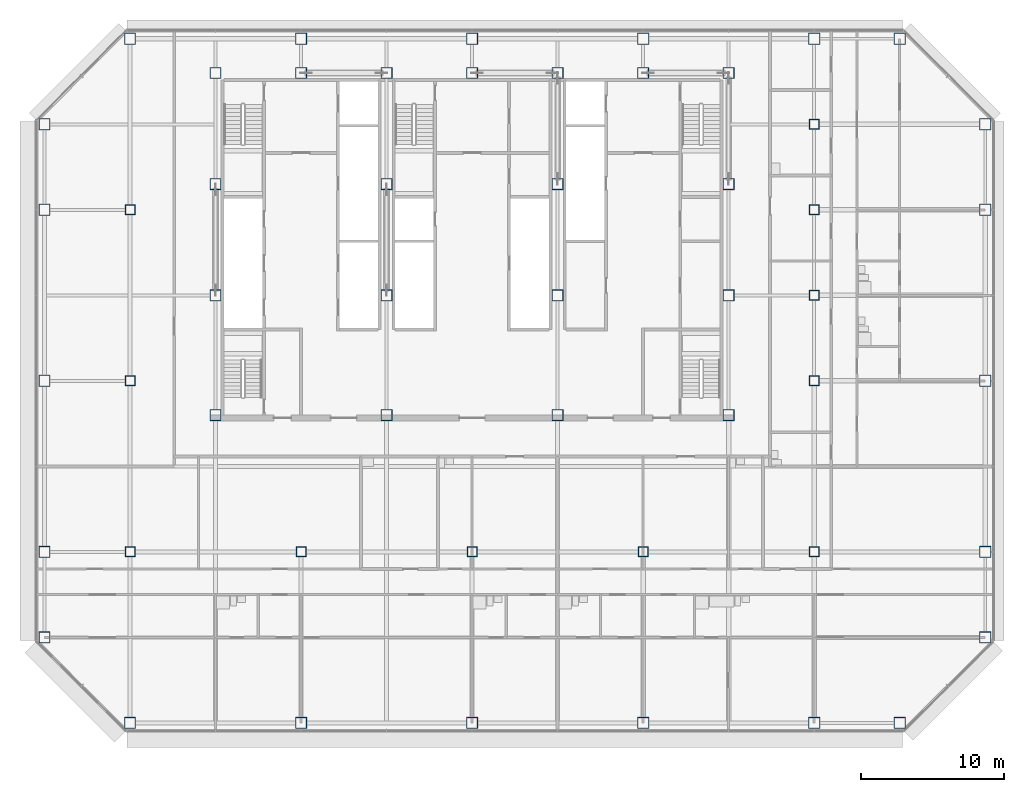
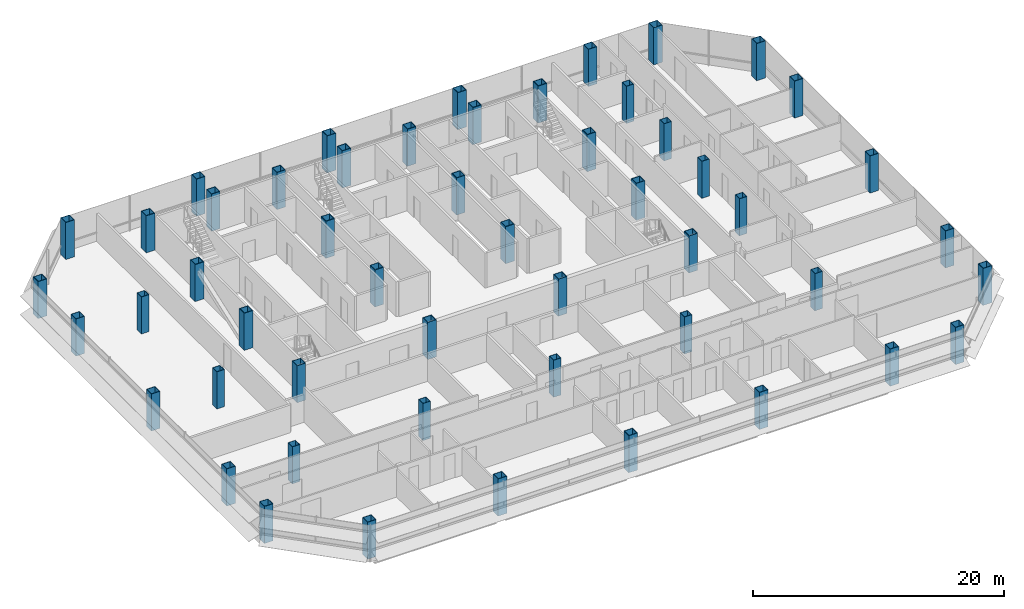
# One storey, part 1 of 26: 52 columns.
"""IFC4 building model written with IfcOpenShell, lengths in metres."""

from ifc_helpers import new_model, si_unit, direction, frame, origin, origin_2d, place, context, subcontext, project, spatial, hollow_rectangle, extrude, material, material_profile, profile_set, type_object, element, save


model = new_model("IFC4")

# Units and contexts
model_context = context("Model", 3, precision=1e-05, world=origin(), true_north=direction((0.0, 1.0)))
body_context = subcontext(model_context, "Body", "Model", "MODEL_VIEW")
ifc_project = project(units=[si_unit("LENGTHUNIT", "METRE"), si_unit("AREAUNIT", "SQUARE_METRE"), si_unit("VOLUMEUNIT", "CUBIC_METRE"), si_unit("PLANEANGLEUNIT", "RADIAN"), si_unit("MASSUNIT", "GRAM", prefix="KILO")], contexts=[model_context])

# Site, building, storey
site_placement = place(None, origin())
site = spatial("IfcSite", under=ifc_project, at=site_placement, CompositionType="ELEMENT")
building_placement = place(site_placement, origin())
building = spatial("IfcBuilding", under=site, at=building_placement, Name="Sorahane Residences", CompositionType="ELEMENT")
storey_placement = place(building_placement, frame((0.0, 0.0, 110.60009765625)))
storey = spatial("IfcBuildingStorey", under=building, at=storey_placement, Name="L24", CompositionType="ELEMENT", Elevation=110.60009765625)

# Columns
ifc_material_1 = material(Name="Steel Q355B", Category="steel")
ifc_material_profile_1 = material_profile(ifc_material_1, hollow_rectangle(XDim=0.699951171875, YDim=0.699951171875, WallThickness=0.035888671875, at=origin_2d()), Name="BOX 700x700x36")
ifc_profile_set_1 = profile_set([ifc_material_profile_1], Name="Steel Q355B")
column_type_1 = type_object("IfcColumnType", Name="Steel box column BOX 700x700x36 Q355B", PredefinedType="COLUMN", material=ifc_profile_set_1)
for number, where, z_axis, x_axis, name in (
    (1, (0.0, 12.0, 0.0), (0.0, 0.0, 1.0), (1.0, 0.0, 0.0), "Column L24 0/12"),
    (2, (0.0, 24.0, 0.0), (0.0, 0.0, 1.0), (1.0, 0.0, 0.0), "Column L24 0/24"),
    (3, (0.0, 36.0, 0.0), (0.0, 0.0, 1.0), (1.0, 0.0, 0.0), "Column L24 0/36"),
    (4, (12.0, 12.0, 0.0), (0.0, 0.0, 1.0), (1.0, 0.0, 0.0), "Column L24 12/12"),
    (5, (24.0, 12.0, 0.0), (0.0, 0.0, 1.0), (1.0, 0.0, 0.0), "Column L24 24/12"),
    (6, (36.0, 12.0, 0.0), (0.0, 0.0, 1.0), (1.0, 0.0, 0.0), "Column L24 36/12"),
    (7, (48.0, 12.0, 0.0), (0.0, 0.0, 1.0), (1.0, 0.0, 0.0), "Column L24 48/12"),
    (8, (48.0, 24.0, 0.0), (0.0, 0.0, 1.0), (1.0, 0.0, 0.0), "Column L24 48/24"),
    (9, (48.0, 30.0, 0.0), (0.0, 0.0, 1.0), (1.0, 0.0, 0.0), "Column L24 48/30"),
    (10, (48.0, 36.0, 0.0), (0.0, 0.0, 1.0), (1.0, 0.0, 0.0), "Column L24 48/36"),
    (11, (48.0, 42.0, 0.0), (0.0, 0.0, 1.0), (1.0, 0.0, 0.0), "Column L24 48/42"),
):
    element("IfcColumn", number, at=place(storey_placement, frame(where, z_axis=z_axis, x_axis=x_axis)), inside=storey, type_object=column_type_1, Name=name, PredefinedType="COLUMN", context=body_context, shape_type="SweptSolid", body=[
        extrude(hollow_rectangle(XDim=0.699951171875, YDim=0.699951171875, WallThickness=0.035888671875, at=origin_2d()), origin(), (0.0, 0.0, 1.0), 3.599853515625),
    ])
ifc_material_2 = material(Name="Steel Q355B", Category="steel")
ifc_material_profile_2 = material_profile(ifc_material_2, hollow_rectangle(XDim=0.800048828125, YDim=0.800048828125, WallThickness=0.0400390625, at=origin_2d()), Name="BOX 800x800x40")
ifc_profile_set_2 = profile_set([ifc_material_profile_2], Name="Steel Q355B")
column_type_2 = type_object("IfcColumnType", Name="Steel box column BOX 800x800x40 Q355B", PredefinedType="COLUMN", material=ifc_profile_set_2)
for number, where, z_axis, x_axis, name in (
    (12, (-6.0, 6.0, 0.0), (0.0, 0.0, 1.0), (1.0, 0.0, 0.0), "Column L24 m6/6"),
    (13, (-6.0, 12.0, 0.0), (0.0, 0.0, 1.0), (1.0, 0.0, 0.0), "Column L24 m6/12"),
    (14, (-6.0, 24.0, 0.0), (0.0, 0.0, 1.0), (1.0, 0.0, 0.0), "Column L24 m6/24"),
    (15, (-6.0, 36.0, 0.0), (0.0, 0.0, 1.0), (1.0, 0.0, 0.0), "Column L24 m6/36"),
    (16, (-6.0, 42.0, 0.0), (0.0, 0.0, 1.0), (1.0, 0.0, 0.0), "Column L24 m6/42"),
    (17, (0.0, 0.0, 0.0), (0.0, 0.0, 1.0), (1.0, 0.0, 0.0), "Column L24 0/0"),
    (18, (0.0, 48.0, 0.0), (0.0, 0.0, 1.0), (1.0, 0.0, 0.0), "Column L24 0/48"),
    (19, (12.0, 0.0, 0.0), (0.0, 0.0, 1.0), (1.0, 0.0, 0.0), "Column L24 12/0"),
    (20, (12.0, 48.0, 0.0), (0.0, 0.0, 1.0), (1.0, 0.0, 0.0), "Column L24 12/48"),
    (21, (24.0, 0.0, 0.0), (0.0, 0.0, 1.0), (1.0, 0.0, 0.0), "Column L24 24/0"),
    (22, (24.0, 48.0, 0.0), (0.0, 0.0, 1.0), (1.0, 0.0, 0.0), "Column L24 24/48"),
    (23, (36.0, 0.0, 0.0), (0.0, 0.0, 1.0), (1.0, 0.0, 0.0), "Column L24 36/0"),
    (24, (36.0, 48.0, 0.0), (0.0, 0.0, 1.0), (1.0, 0.0, 0.0), "Column L24 36/48"),
    (25, (48.0, 0.0, 0.0), (0.0, 0.0, 1.0), (1.0, 0.0, 0.0), "Column L24 48/0"),
    (26, (48.0, 48.0, 0.0), (0.0, 0.0, 1.0), (1.0, 0.0, 0.0), "Column L24 48/48"),
    (27, (54.0, 0.0, 0.0), (0.0, 0.0, 1.0), (1.0, 0.0, 0.0), "Column L24 54/0"),
    (28, (54.0, 48.0, 0.0), (0.0, 0.0, 1.0), (1.0, 0.0, 0.0), "Column L24 54/48"),
    (29, (60.0, 6.0, 0.0), (0.0, 0.0, 1.0), (1.0, 0.0, 0.0), "Column L24 60/6"),
    (30, (60.0, 12.0, 0.0), (0.0, 0.0, 1.0), (1.0, 0.0, 0.0), "Column L24 60/12"),
    (31, (60.0, 24.0, 0.0), (0.0, 0.0, 1.0), (1.0, 0.0, 0.0), "Column L24 60/24"),
    (32, (60.0, 36.0, 0.0), (0.0, 0.0, 1.0), (1.0, 0.0, 0.0), "Column L24 60/36"),
    (33, (60.0, 42.0, 0.0), (0.0, 0.0, 1.0), (1.0, 0.0, 0.0), "Column L24 60/42"),
):
    element("IfcColumn", number, at=place(storey_placement, frame(where, z_axis=z_axis, x_axis=x_axis)), inside=storey, type_object=column_type_2, Name=name, PredefinedType="COLUMN", context=body_context, shape_type="SweptSolid", body=[
        extrude(hollow_rectangle(XDim=0.800048828125, YDim=0.800048828125, WallThickness=0.0400390625, at=origin_2d()), origin(), (0.0, 0.0, 1.0), 3.599853515625),
    ])
ifc_material_3 = material(Name="Steel Q420GJ", Category="steel")
ifc_material_profile_3 = material_profile(ifc_material_3, hollow_rectangle(XDim=0.800048828125, YDim=0.800048828125, WallThickness=0.050048828125, at=origin_2d()), Name="BOX 800x800x50")
ifc_profile_set_3 = profile_set([ifc_material_profile_3], Name="Steel Q420GJ")
column_type_3 = type_object("IfcColumnType", Name="Steel box column BOX 800x800x50 Q420GJ", PredefinedType="COLUMN", material=ifc_profile_set_3)
for number, where, z_axis, x_axis, name in (
    (34, (6.0, 21.60009765625, 0.0), (0.0, 0.0, 1.0), (1.0, 0.0, 0.0), "Column L24 6/21.6"),
    (35, (6.0, 30.0, 0.0), (0.0, 0.0, 1.0), (1.0, 0.0, 0.0), "Column L24 6/30"),
    (36, (6.0, 37.800048828125, 0.0), (0.0, 0.0, 1.0), (1.0, 0.0, 0.0), "Column L24 6/37.8"),
    (37, (6.0, 45.60009765625, 0.0), (0.0, 0.0, 1.0), (1.0, 0.0, 0.0), "Column L24 6/45.6"),
    (38, (12.0, 45.60009765625, 0.0), (0.0, 0.0, 1.0), (1.0, 0.0, 0.0), "Column L24 12/45.6"),
    (39, (18.0, 21.60009765625, 0.0), (0.0, 0.0, 1.0), (1.0, 0.0, 0.0), "Column L24 18/21.6"),
    (40, (18.0, 30.0, 0.0), (0.0, 0.0, 1.0), (1.0, 0.0, 0.0), "Column L24 18/30"),
    (41, (18.0, 37.800048828125, 0.0), (0.0, 0.0, 1.0), (1.0, 0.0, 0.0), "Column L24 18/37.8"),
    (42, (18.0, 45.60009765625, 0.0), (0.0, 0.0, 1.0), (1.0, 0.0, 0.0), "Column L24 18/45.6"),
    (43, (24.0, 45.60009765625, 0.0), (0.0, 0.0, 1.0), (1.0, 0.0, 0.0), "Column L24 24/45.6"),
    (44, (30.0, 21.60009765625, 0.0), (0.0, 0.0, 1.0), (1.0, 0.0, 0.0), "Column L24 30/21.6"),
    (45, (30.0, 30.0, 0.0), (0.0, 0.0, 1.0), (1.0, 0.0, 0.0), "Column L24 30/30"),
    (46, (30.0, 37.800048828125, 0.0), (0.0, 0.0, 1.0), (1.0, 0.0, 0.0), "Column L24 30/37.8"),
    (47, (30.0, 45.60009765625, 0.0), (0.0, 0.0, 1.0), (1.0, 0.0, 0.0), "Column L24 30/45.6"),
    (48, (36.0, 45.60009765625, 0.0), (0.0, 0.0, 1.0), (1.0, 0.0, 0.0), "Column L24 36/45.6"),
    (49, (42.0, 21.60009765625, 0.0), (0.0, 0.0, 1.0), (1.0, 0.0, 0.0), "Column L24 42/21.6"),
    (50, (42.0, 30.0, 0.0), (0.0, 0.0, 1.0), (1.0, 0.0, 0.0), "Column L24 42/30"),
    (51, (42.0, 37.800048828125, 0.0), (0.0, 0.0, 1.0), (1.0, 0.0, 0.0), "Column L24 42/37.8"),
    (52, (42.0, 45.60009765625, 0.0), (0.0, 0.0, 1.0), (1.0, 0.0, 0.0), "Column L24 42/45.6"),
):
    element("IfcColumn", number, at=place(storey_placement, frame(where, z_axis=z_axis, x_axis=x_axis)), inside=storey, type_object=column_type_3, Name=name, PredefinedType="COLUMN", context=body_context, shape_type="SweptSolid", body=[
        extrude(hollow_rectangle(XDim=0.800048828125, YDim=0.800048828125, WallThickness=0.050048828125, at=origin_2d()), origin(), (0.0, 0.0, 1.0), 3.599853515625),
    ])

save(model, "model.ifc")
